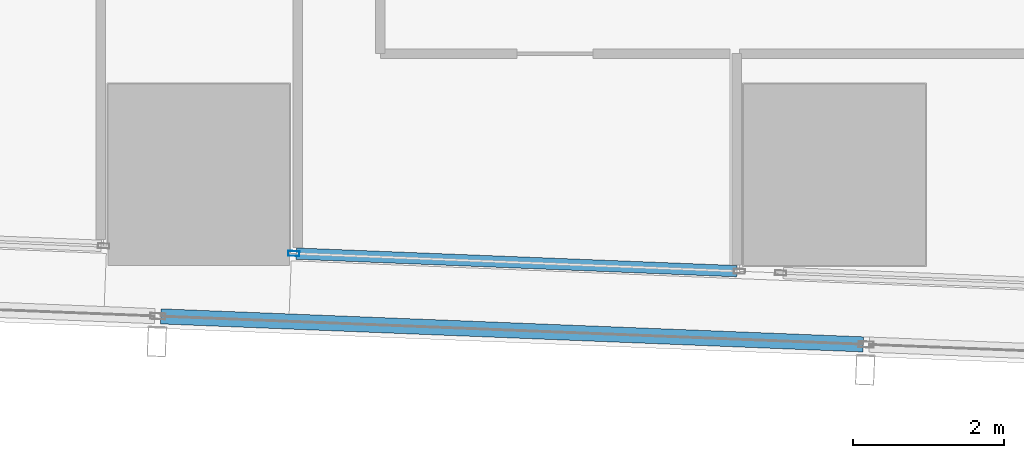
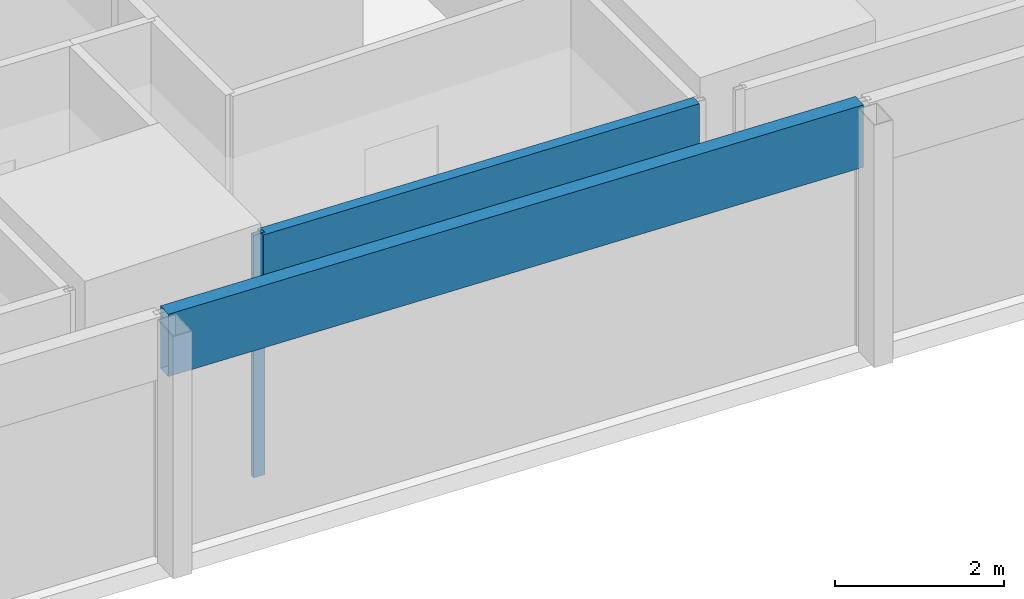
# One storey, part 3 of 37: 3 members, 2 elements without a shape of their own.
"""IFC4 building model written with IfcOpenShell, lengths in metres."""

import ifcopenshell
import ifcopenshell.guid

model = None  # the IFC model being written
_history = None  # IfcOwnerHistory: only IFC2X3 demands one
_inside = {}  # id of a spatial element -> (the spatial element, [elements in it])
_under = {}  # id of a project, library or spatial element -> (it, [spatial elements below it])
_declared = {}  # id of a project -> (the project, [libraries it declares])
_typed = {}  # id of a type object -> (the type object, [elements of that type])
_made_of = {}  # id of a material, layer set ... -> (it, [elements and type objects made of it])


def new_model(schema):
    """Start an empty IFC model of exactly this schema.

    Asked for "IFC4X3", IfcOpenShell would pick the latest addendum, in which some entities
    have other attributes; the version numbers below select the first issue.
    IFC2X3 requires an IfcOwnerHistory on every rooted entity: one is made here for all.
    """
    global model, _history
    if schema == "IFC4X3":
        model = ifcopenshell.file(schema_version=(4, 3, 0, 0))
    else:
        model = ifcopenshell.file(schema=schema)
    _inside.clear()
    _under.clear()
    _declared.clear()
    _typed.clear()
    _made_of.clear()
    _history = None
    if model.schema == "IFC2X3":
        org = make("IfcOrganization", Name="unknown")
        user = make(
            "IfcPersonAndOrganization",
            ThePerson=make("IfcPerson", FamilyName="unknown"),
            TheOrganization=org,
        )
        app = make(
            "IfcApplication",
            ApplicationDeveloper=org,
            Version="unknown",
            ApplicationFullName="unknown",
            ApplicationIdentifier="unknown",
        )
        _history = make(
            "IfcOwnerHistory",
            OwningUser=user,
            OwningApplication=app,
            ChangeAction="ADDED",
            CreationDate=0,
        )
    return model


def make(cls, **values):
    """One entity of the class cls with the attributes given. An attribute that is None is left unset."""
    return model.create_entity(
        cls, **{name: value for name, value in values.items() if value is not None}
    )


def rooted(cls, **values):
    """An entity with a GlobalId (a new one), such as an element, a storey or a relation."""
    return make(cls, GlobalId=ifcopenshell.guid.new(), OwnerHistory=_history, **values)


def si_unit(unit_type, name, prefix=None):
    """IfcSIUnit, for example si_unit("LENGTHUNIT", "METRE", prefix="MILLI")."""
    return make("IfcSIUnit", UnitType=unit_type, Prefix=prefix, Name=name)


def assignment(units):
    """IfcUnitAssignment: the units of a project."""
    return None if units is None else make("IfcUnitAssignment", Units=units)


def point(xyz):
    """IfcCartesianPoint."""
    return None if xyz is None else make("IfcCartesianPoint", Coordinates=xyz)


def direction(xyz):
    """IfcDirection."""
    return None if xyz is None else make("IfcDirection", DirectionRatios=xyz)


def frame(location, z_axis=None, x_axis=None):
    """IfcAxis2Placement3D, a coordinate frame: its origin and axes. An axis left out is left unset."""
    return make(
        "IfcAxis2Placement3D",
        Location=point(location),
        Axis=direction(z_axis),
        RefDirection=direction(x_axis),
    )


def frame_2d(location, x_axis=None):
    """IfcAxis2Placement2D, a coordinate frame in the plane: its origin and x axis."""
    return make(
        "IfcAxis2Placement2D", Location=point(location), RefDirection=direction(x_axis)
    )


def origin():
    """The frame at (0, 0, 0) with its axes left unset."""
    return frame((0.0, 0.0, 0.0))


def origin_2d():
    """The frame at (0, 0) in the plane with its x axis left unset."""
    return frame_2d((0.0, 0.0))


def place(relative_to, where):
    """IfcLocalPlacement: puts the frame where relative to a parent placement (None: the world)."""
    return make(
        "IfcLocalPlacement", PlacementRelTo=relative_to, RelativePlacement=where
    )


def context(
    kind, dimensions, precision=None, world=None, true_north=None, identifier=None
):
    """IfcGeometricRepresentationContext, for example the 3D "Model" context."""
    return make(
        "IfcGeometricRepresentationContext",
        ContextIdentifier=identifier,
        ContextType=kind,
        CoordinateSpaceDimension=dimensions,
        Precision=precision,
        WorldCoordinateSystem=world,
        TrueNorth=true_north,
    )


def subcontext(parent, identifier, kind, view, scale=None):
    """IfcGeometricRepresentationSubContext, for example "Body" below "Model"."""
    return make(
        "IfcGeometricRepresentationSubContext",
        ContextIdentifier=identifier,
        ContextType=kind,
        ParentContext=parent,
        TargetScale=scale,
        TargetView=view,
    )


def project(units=None, contexts=None):
    """IfcProject with its units and contexts."""
    return rooted(
        "IfcProject",
        Name="project",
        RepresentationContexts=contexts,
        UnitsInContext=assignment(units),
    )


def spatial(cls, under=None, at=None, **own):
    """A site, building, storey or space (cls), placed at a placement, below another one or the project."""
    s = rooted(cls, ObjectPlacement=at, **own)
    if under is not None:
        _under.setdefault(under.id(), (under, []))[1].append(s)
    return s


def profile(cls, at=None, kind="AREA", **sizes):
    """A parametric profile (cls). Its sizes go by their IFC names, for example OverallWidth=200.0."""
    return make(cls, ProfileType=kind, Position=at, **sizes)


def hollow_rectangle(**sizes):
    """IfcRectangleHollowProfileDef."""
    return profile("IfcRectangleHollowProfileDef", **sizes)


def extrude(swept, where, along, depth):
    """IfcExtrudedAreaSolid: the profile swept, set in the frame where, extruded along a direction by depth."""
    return make(
        "IfcExtrudedAreaSolid",
        SweptArea=swept,
        Position=where,
        ExtrudedDirection=direction(along),
        Depth=depth,
    )


def shape(context_of_items, identifier, shape_type, items):
    """IfcShapeRepresentation: the items that make up one representation, for example the "Body"."""
    return make(
        "IfcShapeRepresentation",
        ContextOfItems=context_of_items,
        RepresentationIdentifier=identifier,
        RepresentationType=shape_type,
        Items=items,
    )


def material(Name=None, Category=None):
    """IfcMaterial."""
    return make("IfcMaterial", Name=Name, Category=Category)


def material_profile(
    of_material, cross_section, Name=None, Category=None, Priority=None
):
    """IfcMaterialProfile: a cross section and its material."""
    return make(
        "IfcMaterialProfile",
        Name=Name,
        Material=of_material,
        Profile=cross_section,
        Priority=Priority,
        Category=Category,
    )


def profile_set(profiles, Name=None, composite=None):
    """IfcMaterialProfileSet."""
    return make(
        "IfcMaterialProfileSet",
        Name=Name,
        MaterialProfiles=profiles,
        CompositeProfile=composite,
    )


def made_of(thing, what):
    """Note that an element or type object is made of a material, layer set ...; save() writes the relation."""
    if what is not None:
        _made_of.setdefault(what.id(), (what, []))[1].append(thing)
    return thing


def type_object(cls, material=None, **own):
    """A type object (cls), such as IfcWallType, which elements share."""
    return made_of(rooted(cls, **own), material)


def element(
    cls,
    number,
    at=None,
    inside=None,
    cuts=None,
    type_object=None,
    material=None,
    context=None,
    identifier="Body",
    shape_type=None,
    held_by="IfcProductDefinitionShape",
    body=None,
    shapes=None,
    **own,
):
    """One element of the class cls, such as IfcWall. Its Tag is "e" and its number.

    at: its placement. inside: the storey or other place that contains it. cuts: it is an
    opening in that element (IfcRelVoidsElement). A single representation is given by context,
    identifier, shape_type and body (its items); several are given by shapes. held_by: the class
    of the entity that holds the representations. save() writes the other relations.
    """
    e = rooted(cls, Tag="e%d" % number, ObjectPlacement=at, **own)
    if body is not None:
        shapes = [shape(context, identifier, shape_type, body)]
    if shapes is not None:
        e.Representation = make(held_by, Representations=shapes)
    if inside is not None:
        _inside.setdefault(inside.id(), (inside, []))[1].append(e)
    if cuts is not None:
        rooted(
            "IfcRelVoidsElement", RelatingBuildingElement=cuts, RelatedOpeningElement=e
        )
    if type_object is not None:
        _typed.setdefault(type_object.id(), (type_object, []))[1].append(e)
    return made_of(e, material)


def aggregate(whole, parts):
    """IfcRelAggregates: a whole, such as a stair, and the parts it consists of."""
    return rooted("IfcRelAggregates", RelatingObject=whole, RelatedObjects=parts)


def save(model, path):
    """Write the relations noted so far, then the file.

    IfcRelAggregates (storeys below a building ...), IfcRelContainedInSpatialStructure (elements
    in a storey), IfcRelDefinesByType, IfcRelAssociatesMaterial and IfcRelDeclares: one each for
    every whole, place, type object, material and project.
    """
    for whole, parts in _under.values():
        aggregate(whole, parts)
    for where, things in _inside.values():
        rooted(
            "IfcRelContainedInSpatialStructure",
            RelatedElements=things,
            RelatingStructure=where,
        )
    for kind, things in _typed.values():
        rooted("IfcRelDefinesByType", RelatedObjects=things, RelatingType=kind)
    for what, things in _made_of.values():
        rooted("IfcRelAssociatesMaterial", RelatedObjects=things, RelatingMaterial=what)
    for by, libraries in _declared.values():
        rooted("IfcRelDeclares", RelatingContext=by, RelatedDefinitions=libraries)
    model.write(path)


model = new_model("IFC4")

# Units and contexts
model_context = context("Model", 3, precision=1e-05, world=origin(), true_north=direction((0.0, 1.0)))
body_context = subcontext(model_context, "Body", "Model", "MODEL_VIEW")
ifc_project = project(units=[si_unit("LENGTHUNIT", "METRE"), si_unit("AREAUNIT", "SQUARE_METRE"), si_unit("VOLUMEUNIT", "CUBIC_METRE"), si_unit("PLANEANGLEUNIT", "RADIAN"), si_unit("MASSUNIT", "GRAM", prefix="KILO")], contexts=[model_context])

# Site, building, storey
site_placement = place(None, origin())
site = spatial("IfcSite", under=ifc_project, at=site_placement, CompositionType="ELEMENT")
building_placement = place(site_placement, origin())
building = spatial("IfcBuilding", under=site, at=building_placement, Name="Rekha Terrace Tower", CompositionType="ELEMENT")
storey_placement = place(building_placement, frame((0.0, 0.0, 232.699951171875)))
storey = spatial("IfcBuildingStorey", under=building, at=storey_placement, Name="L59", CompositionType="ELEMENT", Elevation=232.699951171875)

# Curtain wall, members
ifc_material_1 = material(Name="Aluminium framing", Category="aluminium")
curtain_wall_type_1 = type_object("IfcCurtainWallType", Name="CW1 double skin inner glazing", PredefinedType="USERDEFINED", material=ifc_material_1)
curtain_wall_1_placement = place(storey_placement, origin())
curtain_wall_1 = element("IfcCurtainWall", 1, at=curtain_wall_1_placement, inside=storey, type_object=curtain_wall_type_1, Name="CW1 double skin inner glazing", ObjectType="DOUBLE SKIN INNER GLAZING", PredefinedType="USERDEFINED")
ifc_material_2 = material(Name="Aluminium mullion section", Category="aluminium")
ifc_material_profile_1 = material_profile(ifc_material_2, hollow_rectangle(XDim=0.06494140625, YDim=0.14990234375, WallThickness=0.00390625, at=origin_2d()), Name="AL RHS 65x150")
ifc_profile_set_1 = profile_set([ifc_material_profile_1], Name="Aluminium mullion section")
member_type_1 = type_object("IfcMemberType", Name="CW1 mullion RHS 65 x 150", PredefinedType="MULLION", material=ifc_profile_set_1)
member_1_placement = place(storey_placement, frame((18.05615234375, 15.759765625, 0.0), z_axis=(0.0, 0.0, 1.0), x_axis=(0.039872497078, 0.999204775798, 0.0)))
member_1 = element("IfcMember", 2, at=member_1_placement, type_object=member_type_1, Name="CW1 mullion 1", PredefinedType="MULLION", context=body_context, shape_type="SweptSolid", body=[
    extrude(hollow_rectangle(XDim=0.06494140625, YDim=0.14990234375, WallThickness=0.00390625, at=origin_2d()), origin(), (0.0, 0.0, 1.0), 3.5),
])
ifc_material_3 = material(Name="Insulated aluminium spandrel box", Category="aluminium")
ifc_material_profile_2 = material_profile(ifc_material_3, hollow_rectangle(XDim=0.14990234375, YDim=0.89990234375, WallThickness=0.0029296875, at=origin_2d()), Name="AL SPANDREL BOX 150x900")
ifc_profile_set_2 = profile_set([ifc_material_profile_2], Name="Insulated aluminium spandrel box")
member_type_2 = type_object("IfcMemberType", Name="CW1 spandrel transom 150 x 900", PredefinedType="USERDEFINED", material=ifc_profile_set_2)
member_2_placement = place(storey_placement, frame((18.088623046875, 15.75830078125, 3.050048828125), z_axis=(0.999205970263, -0.039842552525, 0.0), x_axis=(0.039842552525, 0.999205970263, 0.0)))
member_2 = element("IfcMember", 3, at=member_2_placement, type_object=member_type_2, Name="CW1 spandrel transom 1", ObjectType="TRANSOM", PredefinedType="USERDEFINED", context=body_context, shape_type="SweptSolid", body=[
    extrude(hollow_rectangle(XDim=0.14990234375, YDim=0.89990234375, WallThickness=0.0029296875, at=origin_2d()), origin(), (0.0, 0.0, 1.0), 5.827392578125),
])
aggregate(curtain_wall_1, [member_1, member_2])

# Curtain wall, member
curtain_wall_type_2 = type_object("IfcCurtainWallType", Name="CW2 double skin outer glazing", PredefinedType="USERDEFINED", material=ifc_material_1)
curtain_wall_2_placement = place(storey_placement, origin())
curtain_wall_2 = element("IfcCurtainWall", 4, at=curtain_wall_2_placement, inside=storey, type_object=curtain_wall_type_2, Name="CW2 double skin outer glazing", ObjectType="DOUBLE SKIN OUTER GLAZING", PredefinedType="USERDEFINED")
ifc_material_profile_3 = material_profile(ifc_material_3, hollow_rectangle(XDim=0.199951171875, YDim=0.89990234375, WallThickness=0.0029296875, at=origin_2d()), Name="AL SPANDREL BOX 200x900")
ifc_profile_set_3 = profile_set([ifc_material_profile_3], Name="Insulated aluminium spandrel box")
member_type_3 = type_object("IfcMemberType", Name="CW2 spandrel transom 200 x 900", PredefinedType="USERDEFINED", material=ifc_profile_set_3)
member_3_placement = place(storey_placement, frame((16.2998046875, 14.928955078125, 3.050048828125), z_axis=(0.999205404308, -0.039856743486, 0.0), x_axis=(0.039856743486, 0.999205404308, 0.0)))
member_3 = element("IfcMember", 5, at=member_3_placement, type_object=member_type_3, Name="CW2 spandrel transom 2", ObjectType="TRANSOM", PredefinedType="USERDEFINED", context=body_context, shape_type="SweptSolid", body=[
    extrude(hollow_rectangle(XDim=0.199951171875, YDim=0.89990234375, WallThickness=0.0029296875, at=origin_2d()), origin(), (0.0, 0.0, 1.0), 9.2861328125),
])
aggregate(curtain_wall_2, [member_3])

save(model, "model.ifc")
